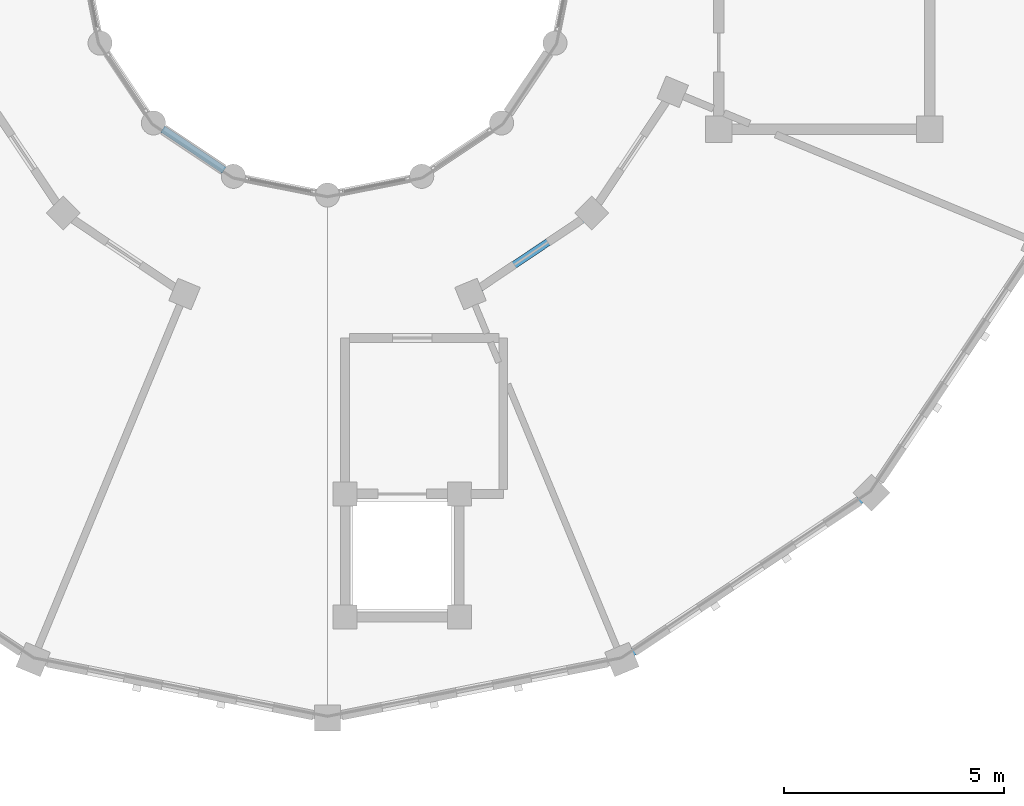
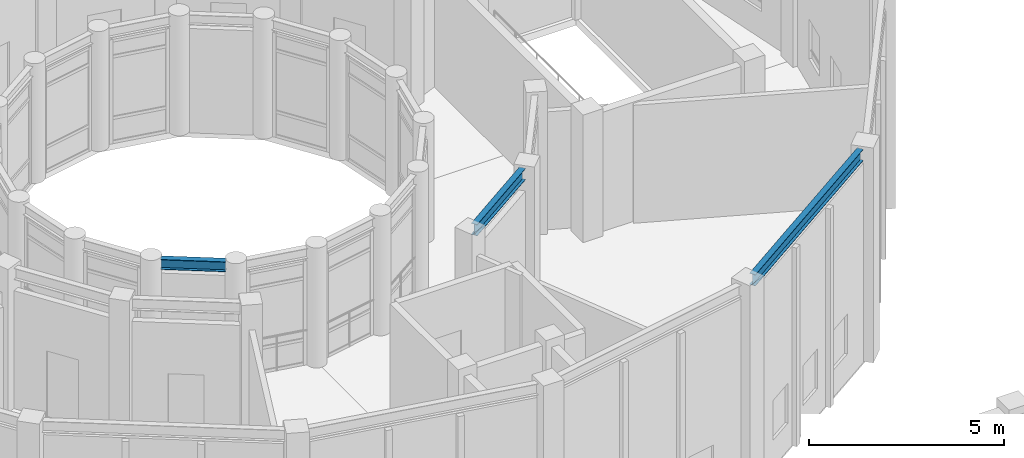
# One storey, part 61 of 149: 3 beams.
"""IFC4 building model written with IfcOpenShell, lengths in metres."""

from ifc_helpers import new_model, si_unit, direction, frame, origin, origin_2d, place, context, subcontext, project, spatial, i_section, extrude, material, material_profile, profile_set, type_object, element, save


model = new_model("IFC4")

# Units and contexts
model_context = context("Model", 3, precision=1e-05, world=origin(), true_north=direction((0.0, 1.0)))
body_context = subcontext(model_context, "Body", "Model", "MODEL_VIEW")
ifc_project = project(units=[si_unit("LENGTHUNIT", "METRE"), si_unit("AREAUNIT", "SQUARE_METRE"), si_unit("VOLUMEUNIT", "CUBIC_METRE"), si_unit("PLANEANGLEUNIT", "RADIAN"), si_unit("MASSUNIT", "GRAM", prefix="KILO")], contexts=[model_context])

# Site, building, storey
site_placement = place(None, origin())
site = spatial("IfcSite", under=ifc_project, at=site_placement, CompositionType="ELEMENT")
building_placement = place(site_placement, origin())
building = spatial("IfcBuilding", under=site, at=building_placement, Name="Celadon Cloister-Ring School", CompositionType="ELEMENT")
storey_placement = place(building_placement, frame((0.0, 0.0, 12.5)))
storey = spatial("IfcBuildingStorey", under=building, at=storey_placement, Name="L03", CompositionType="ELEMENT", Elevation=12.5)

# Beams
ifc_material_1 = material(Name="Structural steel S355JR", Category="steel")
ifc_material_profile_1 = material_profile(ifc_material_1, i_section(OverallWidth=0.1708984375, OverallDepth=0.35498046875, WebThickness=0.007080078125, FlangeThickness=0.01171875, at=origin_2d()), Name="W360X51")
ifc_profile_set_1 = profile_set([ifc_material_profile_1], Name="Structural steel S355JR")
beam_type_1 = type_object("IfcBeamType", Name="GT-08", PredefinedType="USERDEFINED", material=ifc_profile_set_1)
beam_1_placement = place(storey_placement, frame((23.660888671875, 89.285888671875, 4.222900390625), z_axis=(0.831315995752, 0.555800067657, 0.0), x_axis=(-0.555800067657, 0.831315995752, 0.0)))
element("IfcBeam", 1, at=beam_1_placement, inside=storey, type_object=beam_type_1, Name="Beam 0843", ObjectType="GIRDER", PredefinedType="USERDEFINED", context=body_context, shape_type="SweptSolid", body=[
    extrude(i_section(OverallWidth=0.1708984375, OverallDepth=0.35498046875, WebThickness=0.007080078125, FlangeThickness=0.01171875, at=origin_2d()), origin(), (0.0, 0.0, 1.0), 2.816162109375),
])
ifc_material_2 = material(Name="Structural steel S355JR", Category="steel")
ifc_material_profile_2 = material_profile(ifc_material_2, i_section(OverallWidth=0.1708984375, OverallDepth=0.35498046875, WebThickness=0.007080078125, FlangeThickness=0.01171875, at=origin_2d()), Name="W360X51")
ifc_profile_set_2 = profile_set([ifc_material_profile_2], Name="Structural steel S355JR")
beam_type_2 = type_object("IfcBeamType", Name="SP-04", PredefinedType="SPANDREL", material=ifc_profile_set_2)
beam_2_placement = place(storey_placement, frame((27.1259765625, 80.985107421875, 6.472900390625), z_axis=(0.831427473898, 0.555633292422, 0.0), x_axis=(-0.555633292422, 0.831427473898, 0.0)))
element("IfcBeam", 2, at=beam_2_placement, inside=storey, type_object=beam_type_2, Name="Beam 0842", PredefinedType="SPANDREL", context=body_context, shape_type="SweptSolid", body=[
    extrude(i_section(OverallWidth=0.1708984375, OverallDepth=0.35498046875, WebThickness=0.007080078125, FlangeThickness=0.01171875, at=origin_2d()), origin(), (0.0, 0.0, 1.0), 6.277099609375),
])
ifc_material_3 = material(Name="Structural steel S355JR", Category="steel")
ifc_material_profile_3 = material_profile(ifc_material_3, i_section(OverallWidth=0.1669921875, OverallDepth=0.31689453125, WebThickness=0.007568359375, FlangeThickness=0.01318359375, at=origin_2d()), Name="W310X52")
ifc_profile_set_3 = profile_set([ifc_material_profile_3], Name="Structural steel S355JR")
beam_type_3 = type_object("IfcBeamType", Name="SP-05", PredefinedType="SPANDREL", material=ifc_profile_set_3)
beam_3_placement = place(storey_placement, frame((16.447998046875, 92.90087890625, 3.51708984375), z_axis=(0.831581859135, -0.555402207016, 0.0), x_axis=(0.555402207016, 0.831581859135, 0.0)))
element("IfcBeam", 3, at=beam_3_placement, inside=storey, type_object=beam_type_3, Name="Beam 0837", PredefinedType="SPANDREL", context=body_context, shape_type="SweptSolid", body=[
    extrude(i_section(OverallWidth=0.1669921875, OverallDepth=0.31689453125, WebThickness=0.007568359375, FlangeThickness=0.01318359375, at=origin_2d()), origin(), (0.0, 0.0, 1.0), 1.684814453125),
])

save(model, "model.ifc")
